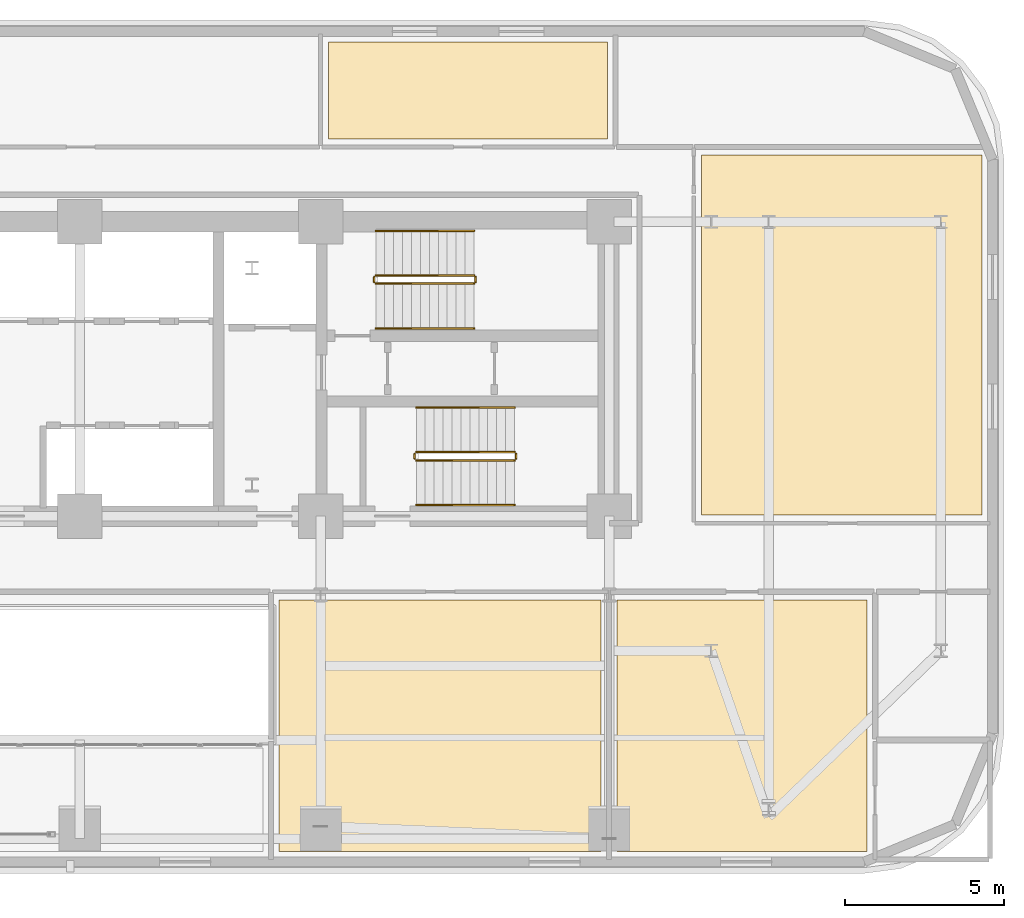
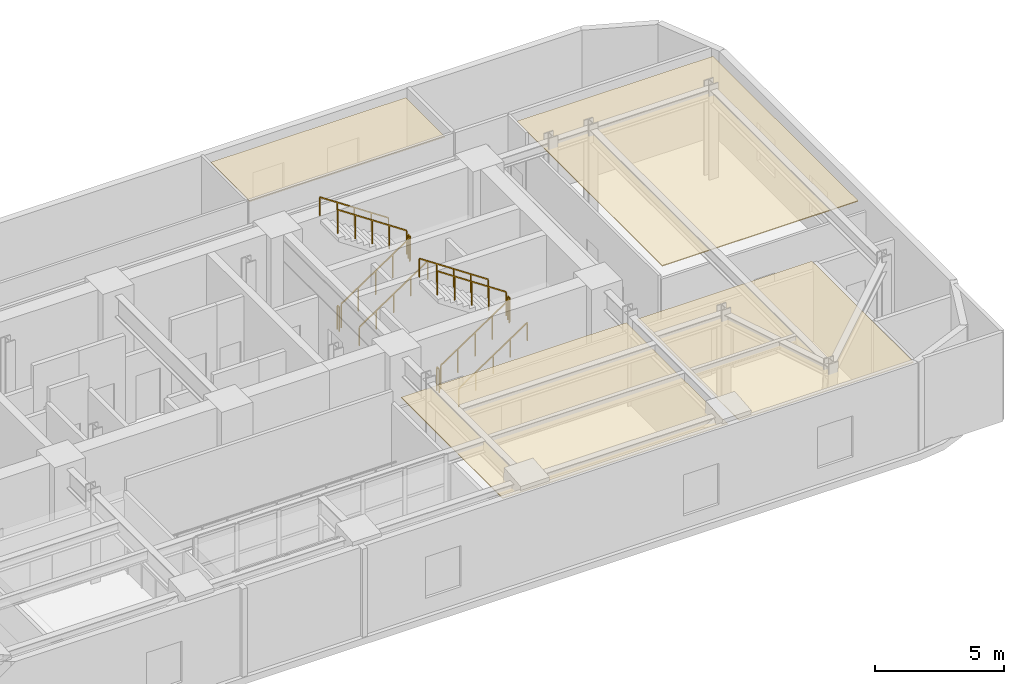
# One storey, part 14 of 14: 12 railings, 4 coverings.
"""IFC4 building model written with IfcOpenShell, lengths in metres."""

from ifc_helpers import new_model, si_unit, direction, frame, origin, origin_2d, place, context, subcontext, project, spatial, polyline, rectangle, outline, extrude, material, layer, layer_set, type_object, element, save


model = new_model("IFC4")

# Units and contexts
model_context = context("Model", 3, precision=1e-05, world=origin(), true_north=direction((0.0, 1.0)))
body_context = subcontext(model_context, "Body", "Model", "MODEL_VIEW")
ifc_project = project(units=[si_unit("LENGTHUNIT", "METRE"), si_unit("AREAUNIT", "SQUARE_METRE"), si_unit("VOLUMEUNIT", "CUBIC_METRE"), si_unit("PLANEANGLEUNIT", "RADIAN"), si_unit("MASSUNIT", "GRAM", prefix="KILO")], contexts=[model_context])

# Site, building, storey
site_placement = place(None, origin())
site = spatial("IfcSite", under=ifc_project, at=site_placement, CompositionType="ELEMENT")
building_placement = place(site_placement, origin())
building = spatial("IfcBuilding", under=site, at=building_placement, Name="Zarnavel Station Tower", CompositionType="ELEMENT")
storey_placement = place(building_placement, frame((0.0, 0.0, 89.800048828125)))
storey = spatial("IfcBuildingStorey", under=building, at=storey_placement, Name="L24", CompositionType="ELEMENT", Elevation=89.800048828125)

# Coverings
ifc_material_1 = material(Name="Perforated Gypsum and Mineral-Wool Acoustic Ceiling", Category="concrete")
ifc_layer = layer(ifc_material_1, 0.0400390625)
ifc_layer_set = layer_set([ifc_layer], Name="COV_CEIL_ACOUSTIC")
covering_type = type_object("IfcCoveringType", Name="COV_CEIL_ACOUSTIC", PredefinedType="CEILING", material=ifc_layer_set)
covering_1_placement = place(storey_placement, frame((0.0, 0.0, 3.919921875)))
element("IfcCovering", 1, at=covering_1_placement, inside=storey, type_object=covering_type, Name="L24 SLSAL Acoustic Ceiling", PredefinedType="CEILING", context=body_context, shape_type="SweptSolid", body=[
    extrude(outline(polyline([(35.050048828125, 17.31005859375), (45.14990234375, 17.31005859375), (45.14990234375, 25.199951171875), (35.050048828125, 25.199951171875), (35.050048828125, 17.31005859375)])), origin(), (0.0, 0.0, 1.0), 0.0400390625),
])
covering_2_placement = place(storey_placement, frame((0.0, 0.0, 3.919921875)))
element("IfcCovering", 2, at=covering_2_placement, inside=storey, type_object=covering_type, Name="L24 SLCON Acoustic Ceiling", PredefinedType="CEILING", context=body_context, shape_type="SweptSolid", body=[
    extrude(outline(polyline([(45.64990234375, 17.31005859375), (53.489990234375, 17.31005859375), (53.489990234375, 25.199951171875), (45.64990234375, 25.199951171875), (45.64990234375, 17.31005859375)])), origin(), (0.0, 0.0, 1.0), 0.0400390625),
])
covering_3_placement = place(storey_placement, frame((0.0, 0.0, 3.919921875)))
element("IfcCovering", 3, at=covering_3_placement, inside=storey, type_object=covering_type, Name="L24 SLNE Acoustic Ceiling", PredefinedType="CEILING", context=body_context, shape_type="SweptSolid", body=[
    extrude(outline(polyline([(48.300048828125, 27.85009765625), (57.090087890625, 27.85009765625), (57.090087890625, 39.14990234375), (48.300048828125, 39.14990234375), (48.300048828125, 27.85009765625)])), origin(), (0.0, 0.0, 1.0), 0.0400390625),
])
covering_4_placement = place(storey_placement, frame((0.0, 0.0, 3.919921875)))
element("IfcCovering", 4, at=covering_4_placement, inside=storey, type_object=covering_type, Name="L24 SLNB Acoustic Ceiling", PredefinedType="CEILING", context=body_context, shape_type="SweptSolid", body=[
    extrude(outline(polyline([(36.60009765625, 39.64990234375), (45.35009765625, 39.64990234375), (45.35009765625, 42.68994140625), (36.60009765625, 42.68994140625), (36.60009765625, 39.64990234375)])), origin(), (0.0, 0.0, 1.0), 0.0400390625),
])

# Railings
ifc_material_2 = material(Name="Painted Steel S355J2 Balustrade", Category="steel")
railing_type_1 = type_object("IfcRailingType", Name="GR_INT_1150", PredefinedType="GUARDRAIL", material=ifc_material_2)
railing_1_placement = place(storey_placement, frame((38.080078125, 35.110107421875, 0.1875)))
element("IfcRailing", 5, at=railing_1_placement, inside=storey, type_object=railing_type_1, Name="L24 ST2 stair guard 1", PredefinedType="GUARDRAIL", context=body_context, shape_type="SweptSolid", body=[
    extrude(rectangle(XDim=0.048095703125, YDim=0.048095703125, at=origin_2d()), frame((0.001708984375, 0.0, 1.126953125), z_axis=(0.830893310487, 0.0, 0.556431762742), x_axis=(0.0, 1.0, 0.0)), (0.0, 0.0, 1.0), 3.70263671875),
    extrude(rectangle(XDim=0.0419921875, YDim=0.0419921875, at=origin_2d()), origin(), (0.0, 0.0, 1.0), 1.101806640625),
    extrude(rectangle(XDim=0.0419921875, YDim=0.0419921875, at=origin_2d()), frame((0.77001953125, 0.0, 0.515625)), (0.0, 0.0, 1.0), 1.101806640625),
    extrude(rectangle(XDim=0.0419921875, YDim=0.0419921875, at=origin_2d()), frame((1.5400390625, 0.0, 1.03125)), (0.0, 0.0, 1.0), 1.101806640625),
    extrude(rectangle(XDim=0.0419921875, YDim=0.0419921875, at=origin_2d()), frame((2.309814453125, 0.0, 1.546875)), (0.0, 0.0, 1.0), 1.101806640625),
    extrude(rectangle(XDim=0.0419921875, YDim=0.0419921875, at=origin_2d()), frame((3.079833984375, 0.0, 2.0625)), (0.0, 0.0, 1.0), 1.101806640625),
])
railing_2_placement = place(storey_placement, frame((41.2099609375, 35.159912109375, 2.25)))
element("IfcRailing", 6, at=railing_2_placement, inside=storey, type_object=railing_type_1, Name="L24 ST2 stair guard 2", PredefinedType="GUARDRAIL", context=body_context, shape_type="SweptSolid", body=[
    extrude(rectangle(XDim=0.048095703125, YDim=0.048095703125, at=origin_2d()), frame((0.0, 0.001953125, 1.1259765625), z_axis=(0.0, 1.0, 0.0), x_axis=(-1.0, 0.0, 0.0)), (0.0, 0.0, 1.0), 0.15625),
    extrude(rectangle(XDim=0.0419921875, YDim=0.0419921875, at=origin_2d()), origin(), (0.0, 0.0, 1.0), 1.101806640625),
    extrude(rectangle(XDim=0.0419921875, YDim=0.0419921875, at=origin_2d()), frame((0.0, 0.16015625, 0.0)), (0.0, 0.0, 1.0), 1.101806640625),
])
railing_3_placement = place(storey_placement, frame((41.159912109375, 35.3701171875, 2.4375)))
element("IfcRailing", 7, at=railing_3_placement, inside=storey, type_object=railing_type_1, Name="L24 ST2 stair guard 3", PredefinedType="GUARDRAIL", context=body_context, shape_type="SweptSolid", body=[
    extrude(rectangle(XDim=0.048095703125, YDim=0.048095703125, at=origin_2d()), frame((-0.001708984375, 0.0, 1.126953125), z_axis=(-0.830893310487, 0.0, 0.556431762742), x_axis=(0.0, -1.0, 0.0)), (0.0, 0.0, 1.0), 3.70263671875),
    extrude(rectangle(XDim=0.0419921875, YDim=0.0419921875, at=origin_2d()), origin(), (0.0, 0.0, 1.0), 1.101806640625),
    extrude(rectangle(XDim=0.0419921875, YDim=0.0419921875, at=origin_2d()), frame((-0.77001953125, 0.0, 0.515625)), (0.0, 0.0, 1.0), 1.101806640625),
    extrude(rectangle(XDim=0.0419921875, YDim=0.0419921875, at=origin_2d()), frame((-1.5400390625, 0.0, 1.03125)), (0.0, 0.0, 1.0), 1.101806640625),
    extrude(rectangle(XDim=0.0419921875, YDim=0.0419921875, at=origin_2d()), frame((-2.309814453125, 0.0, 1.546875)), (0.0, 0.0, 1.0), 1.101806640625),
    extrude(rectangle(XDim=0.0419921875, YDim=0.0419921875, at=origin_2d()), frame((-3.079833984375, 0.0, 2.0625)), (0.0, 0.0, 1.0), 1.101806640625),
])
railing_4_placement = place(storey_placement, frame((38.030029296875, 35.159912109375, 0.0)))
element("IfcRailing", 8, at=railing_4_placement, inside=storey, type_object=railing_type_1, Name="L24 ST2 stair guard 4", PredefinedType="GUARDRAIL", context=body_context, shape_type="SweptSolid", body=[
    extrude(rectangle(XDim=0.048095703125, YDim=0.048095703125, at=origin_2d()), frame((0.0, 0.001953125, 1.1259765625), z_axis=(0.0, 1.0, 0.0), x_axis=(-1.0, 0.0, 0.0)), (0.0, 0.0, 1.0), 0.15625),
    extrude(rectangle(XDim=0.0419921875, YDim=0.0419921875, at=origin_2d()), origin(), (0.0, 0.0, 1.0), 1.101806640625),
    extrude(rectangle(XDim=0.0419921875, YDim=0.0419921875, at=origin_2d()), frame((0.0, 0.16015625, 0.0)), (0.0, 0.0, 1.0), 1.101806640625),
])
railing_5_placement = place(storey_placement, frame((39.35009765625, 29.570068359375, 0.1875)))
element("IfcRailing", 9, at=railing_5_placement, inside=storey, type_object=railing_type_1, Name="L24 ST3 stair guard 1", PredefinedType="GUARDRAIL", context=body_context, shape_type="SweptSolid", body=[
    extrude(rectangle(XDim=0.048095703125, YDim=0.048095703125, at=origin_2d()), frame((0.001708984375, 0.0, 1.126953125), z_axis=(0.830893310487, 0.0, 0.556431762742), x_axis=(0.0, 1.0, 0.0)), (0.0, 0.0, 1.0), 3.70263671875),
    extrude(rectangle(XDim=0.0419921875, YDim=0.0419921875, at=origin_2d()), origin(), (0.0, 0.0, 1.0), 1.101806640625),
    extrude(rectangle(XDim=0.0419921875, YDim=0.0419921875, at=origin_2d()), frame((0.77001953125, 0.0, 0.515625)), (0.0, 0.0, 1.0), 1.101806640625),
    extrude(rectangle(XDim=0.0419921875, YDim=0.0419921875, at=origin_2d()), frame((1.5400390625, 0.0, 1.03125)), (0.0, 0.0, 1.0), 1.101806640625),
    extrude(rectangle(XDim=0.0419921875, YDim=0.0419921875, at=origin_2d()), frame((2.309814453125, 0.0, 1.546875)), (0.0, 0.0, 1.0), 1.101806640625),
    extrude(rectangle(XDim=0.0419921875, YDim=0.0419921875, at=origin_2d()), frame((3.079833984375, 0.0, 2.0625)), (0.0, 0.0, 1.0), 1.101806640625),
])
railing_6_placement = place(storey_placement, frame((42.47998046875, 29.6201171875, 2.25)))
element("IfcRailing", 10, at=railing_6_placement, inside=storey, type_object=railing_type_1, Name="L24 ST3 stair guard 2", PredefinedType="GUARDRAIL", context=body_context, shape_type="SweptSolid", body=[
    extrude(rectangle(XDim=0.048095703125, YDim=0.048095703125, at=origin_2d()), frame((0.0, 0.001953125, 1.1259765625), z_axis=(0.0, 1.0, 0.0), x_axis=(-1.0, 0.0, 0.0)), (0.0, 0.0, 1.0), 0.156005859375),
    extrude(rectangle(XDim=0.0419921875, YDim=0.0419921875, at=origin_2d()), origin(), (0.0, 0.0, 1.0), 1.101806640625),
    extrude(rectangle(XDim=0.0419921875, YDim=0.0419921875, at=origin_2d()), frame((0.0, 0.159912109375, 0.0)), (0.0, 0.0, 1.0), 1.101806640625),
])
railing_7_placement = place(storey_placement, frame((42.429931640625, 29.830078125, 2.4375)))
element("IfcRailing", 11, at=railing_7_placement, inside=storey, type_object=railing_type_1, Name="L24 ST3 stair guard 3", PredefinedType="GUARDRAIL", context=body_context, shape_type="SweptSolid", body=[
    extrude(rectangle(XDim=0.048095703125, YDim=0.048095703125, at=origin_2d()), frame((-0.001708984375, 0.0, 1.126953125), z_axis=(-0.830893310487, 0.0, 0.556431762742), x_axis=(0.0, -1.0, 0.0)), (0.0, 0.0, 1.0), 3.70263671875),
    extrude(rectangle(XDim=0.0419921875, YDim=0.0419921875, at=origin_2d()), origin(), (0.0, 0.0, 1.0), 1.101806640625),
    extrude(rectangle(XDim=0.0419921875, YDim=0.0419921875, at=origin_2d()), frame((-0.77001953125, 0.0, 0.515625)), (0.0, 0.0, 1.0), 1.101806640625),
    extrude(rectangle(XDim=0.0419921875, YDim=0.0419921875, at=origin_2d()), frame((-1.5400390625, 0.0, 1.03125)), (0.0, 0.0, 1.0), 1.101806640625),
    extrude(rectangle(XDim=0.0419921875, YDim=0.0419921875, at=origin_2d()), frame((-2.309814453125, 0.0, 1.546875)), (0.0, 0.0, 1.0), 1.101806640625),
    extrude(rectangle(XDim=0.0419921875, YDim=0.0419921875, at=origin_2d()), frame((-3.079833984375, 0.0, 2.0625)), (0.0, 0.0, 1.0), 1.101806640625),
])
railing_8_placement = place(storey_placement, frame((39.300048828125, 29.6201171875, 0.0)))
element("IfcRailing", 12, at=railing_8_placement, inside=storey, type_object=railing_type_1, Name="L24 ST3 stair guard 4", PredefinedType="GUARDRAIL", context=body_context, shape_type="SweptSolid", body=[
    extrude(rectangle(XDim=0.048095703125, YDim=0.048095703125, at=origin_2d()), frame((0.0, 0.001953125, 1.1259765625), z_axis=(0.0, 1.0, 0.0), x_axis=(-1.0, 0.0, 0.0)), (0.0, 0.0, 1.0), 0.156005859375),
    extrude(rectangle(XDim=0.0419921875, YDim=0.0419921875, at=origin_2d()), origin(), (0.0, 0.0, 1.0), 1.101806640625),
    extrude(rectangle(XDim=0.0419921875, YDim=0.0419921875, at=origin_2d()), frame((0.0, 0.159912109375, 0.0)), (0.0, 0.0, 1.0), 1.101806640625),
])
ifc_material_3 = material(Name="Brushed Stainless Steel S355J2 Handrail", Category="steel")
railing_type_2 = type_object("IfcRailingType", Name="HR_STAIR_900", PredefinedType="HANDRAIL", material=ifc_material_3)
railing_9_placement = place(storey_placement, frame((38.080078125, 33.7099609375, 0.1875)))
element("IfcRailing", 13, at=railing_9_placement, inside=storey, type_object=railing_type_2, Name="L24 ST2 stair handrail 1", PredefinedType="HANDRAIL", context=body_context, shape_type="SweptSolid", body=[
    extrude(rectangle(XDim=0.048095703125, YDim=0.048095703125, at=origin_2d()), frame((0.001708984375, 0.0, 0.876953125), z_axis=(0.830893310487, 0.0, 0.556431762742), x_axis=(0.0, 1.0, 0.0)), (0.0, 0.0, 1.0), 3.70263671875),
    extrude(rectangle(XDim=0.0419921875, YDim=0.0419921875, at=origin_2d()), origin(), (0.0, 0.0, 1.0), 0.851806640625),
    extrude(rectangle(XDim=0.0419921875, YDim=0.0419921875, at=origin_2d()), frame((0.77001953125, 0.0, 0.515625)), (0.0, 0.0, 1.0), 0.851806640625),
    extrude(rectangle(XDim=0.0419921875, YDim=0.0419921875, at=origin_2d()), frame((1.5400390625, 0.0, 1.03125)), (0.0, 0.0, 1.0), 0.851806640625),
    extrude(rectangle(XDim=0.0419921875, YDim=0.0419921875, at=origin_2d()), frame((2.309814453125, 0.0, 1.546875)), (0.0, 0.0, 1.0), 0.851806640625),
    extrude(rectangle(XDim=0.0419921875, YDim=0.0419921875, at=origin_2d()), frame((3.079833984375, 0.0, 2.0625)), (0.0, 0.0, 1.0), 0.851806640625),
])
railing_10_placement = place(storey_placement, frame((41.159912109375, 36.77001953125, 2.4375)))
element("IfcRailing", 14, at=railing_10_placement, inside=storey, type_object=railing_type_2, Name="L24 ST2 stair handrail 2", PredefinedType="HANDRAIL", context=body_context, shape_type="SweptSolid", body=[
    extrude(rectangle(XDim=0.048095703125, YDim=0.048095703125, at=origin_2d()), frame((-0.001708984375, 0.0, 0.876953125), z_axis=(-0.830893310487, 0.0, 0.556431762742), x_axis=(0.0, -1.0, 0.0)), (0.0, 0.0, 1.0), 3.70263671875),
    extrude(rectangle(XDim=0.0419921875, YDim=0.0419921875, at=origin_2d()), origin(), (0.0, 0.0, 1.0), 0.851806640625),
    extrude(rectangle(XDim=0.0419921875, YDim=0.0419921875, at=origin_2d()), frame((-0.77001953125, 0.0, 0.515625)), (0.0, 0.0, 1.0), 0.851806640625),
    extrude(rectangle(XDim=0.0419921875, YDim=0.0419921875, at=origin_2d()), frame((-1.5400390625, 0.0, 1.03125)), (0.0, 0.0, 1.0), 0.851806640625),
    extrude(rectangle(XDim=0.0419921875, YDim=0.0419921875, at=origin_2d()), frame((-2.309814453125, 0.0, 1.546875)), (0.0, 0.0, 1.0), 0.851806640625),
    extrude(rectangle(XDim=0.0419921875, YDim=0.0419921875, at=origin_2d()), frame((-3.079833984375, 0.0, 2.0625)), (0.0, 0.0, 1.0), 0.851806640625),
])
railing_11_placement = place(storey_placement, frame((39.35009765625, 28.169921875, 0.1875)))
element("IfcRailing", 15, at=railing_11_placement, inside=storey, type_object=railing_type_2, Name="L24 ST3 stair handrail 1", PredefinedType="HANDRAIL", context=body_context, shape_type="SweptSolid", body=[
    extrude(rectangle(XDim=0.048095703125, YDim=0.048095703125, at=origin_2d()), frame((0.001708984375, 0.0, 0.876953125), z_axis=(0.830893310487, 0.0, 0.556431762742), x_axis=(0.0, 1.0, 0.0)), (0.0, 0.0, 1.0), 3.70263671875),
    extrude(rectangle(XDim=0.0419921875, YDim=0.0419921875, at=origin_2d()), origin(), (0.0, 0.0, 1.0), 0.851806640625),
    extrude(rectangle(XDim=0.0419921875, YDim=0.0419921875, at=origin_2d()), frame((0.77001953125, 0.0, 0.515625)), (0.0, 0.0, 1.0), 0.851806640625),
    extrude(rectangle(XDim=0.0419921875, YDim=0.0419921875, at=origin_2d()), frame((1.5400390625, 0.0, 1.03125)), (0.0, 0.0, 1.0), 0.851806640625),
    extrude(rectangle(XDim=0.0419921875, YDim=0.0419921875, at=origin_2d()), frame((2.309814453125, 0.0, 1.546875)), (0.0, 0.0, 1.0), 0.851806640625),
    extrude(rectangle(XDim=0.0419921875, YDim=0.0419921875, at=origin_2d()), frame((3.079833984375, 0.0, 2.0625)), (0.0, 0.0, 1.0), 0.851806640625),
])
railing_12_placement = place(storey_placement, frame((42.429931640625, 31.22998046875, 2.4375)))
element("IfcRailing", 16, at=railing_12_placement, inside=storey, type_object=railing_type_2, Name="L24 ST3 stair handrail 2", PredefinedType="HANDRAIL", context=body_context, shape_type="SweptSolid", body=[
    extrude(rectangle(XDim=0.048095703125, YDim=0.048095703125, at=origin_2d()), frame((-0.001708984375, 0.0, 0.876953125), z_axis=(-0.830893310487, 0.0, 0.556431762742), x_axis=(0.0, -1.0, 0.0)), (0.0, 0.0, 1.0), 3.70263671875),
    extrude(rectangle(XDim=0.0419921875, YDim=0.0419921875, at=origin_2d()), origin(), (0.0, 0.0, 1.0), 0.851806640625),
    extrude(rectangle(XDim=0.0419921875, YDim=0.0419921875, at=origin_2d()), frame((-0.77001953125, 0.0, 0.515625)), (0.0, 0.0, 1.0), 0.851806640625),
    extrude(rectangle(XDim=0.0419921875, YDim=0.0419921875, at=origin_2d()), frame((-1.5400390625, 0.0, 1.03125)), (0.0, 0.0, 1.0), 0.851806640625),
    extrude(rectangle(XDim=0.0419921875, YDim=0.0419921875, at=origin_2d()), frame((-2.309814453125, 0.0, 1.546875)), (0.0, 0.0, 1.0), 0.851806640625),
    extrude(rectangle(XDim=0.0419921875, YDim=0.0419921875, at=origin_2d()), frame((-3.079833984375, 0.0, 2.0625)), (0.0, 0.0, 1.0), 0.851806640625),
])

save(model, "model.ifc")
